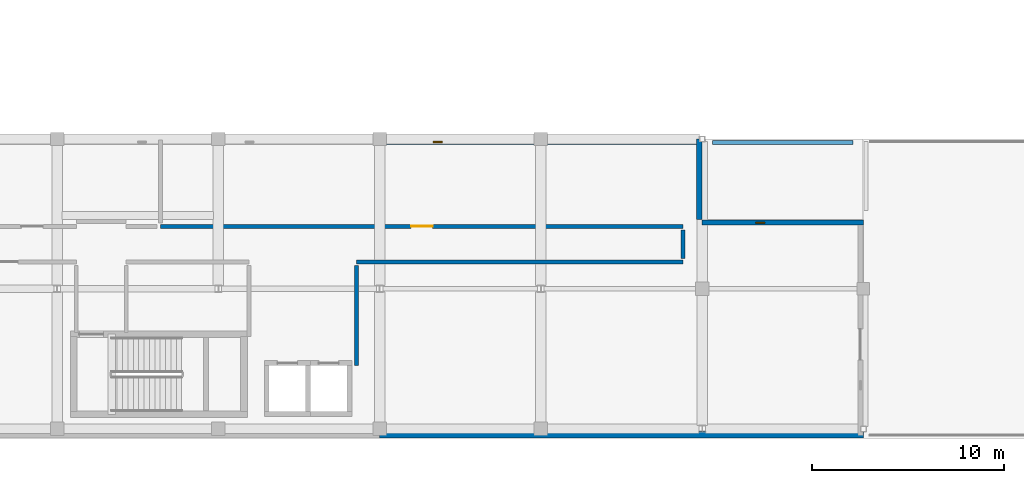
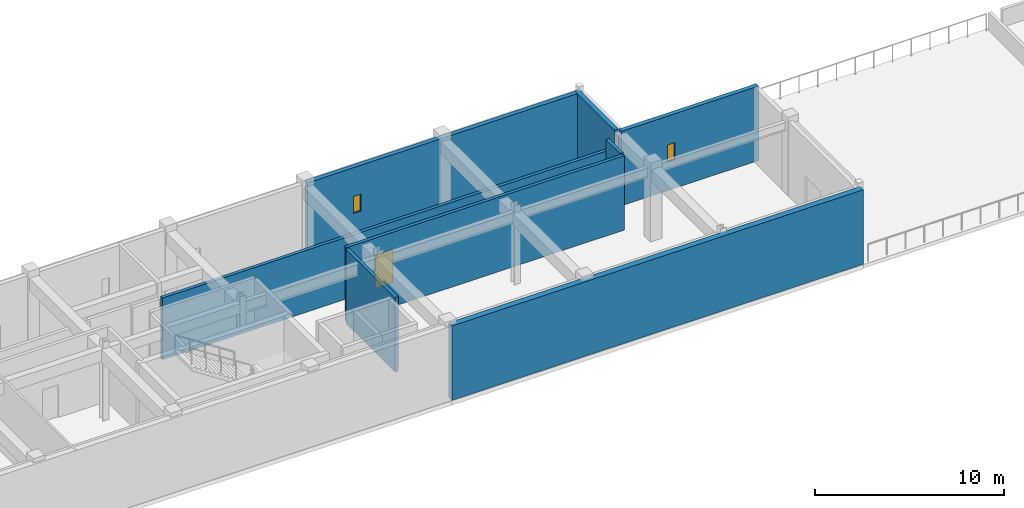
# One storey, part 59 of 78: 9 walls, 2 windows, 1 door, 3 openings.
"""IFC4 building model written with IfcOpenShell, lengths in metres."""

from ifc_helpers import new_model, si_unit, direction, frame, frame_2d, origin, place, context, subcontext, project, spatial, rectangle, extrude, material, layer, layer_set, type_object, element, fill, save


model = new_model("IFC4")

# Units and contexts
model_context = context("Model", 3, precision=1e-05, world=origin(), true_north=direction((0.0, 1.0)))
body_context = subcontext(model_context, "Body", "Model", "MODEL_VIEW")
ifc_project = project(units=[si_unit("LENGTHUNIT", "METRE"), si_unit("AREAUNIT", "SQUARE_METRE"), si_unit("VOLUMEUNIT", "CUBIC_METRE"), si_unit("PLANEANGLEUNIT", "RADIAN"), si_unit("MASSUNIT", "GRAM", prefix="KILO")], contexts=[model_context])

# Site, building, storey
site_placement = place(None, origin())
site = spatial("IfcSite", under=ifc_project, at=site_placement, CompositionType="ELEMENT")
building_placement = place(site_placement, origin())
building = spatial("IfcBuilding", under=site, at=building_placement, Name="Quendrovan Civic Courthouse", CompositionType="ELEMENT")
storey_placement = place(building_placement, frame((0.0, 0.0, 10.199951171875)))
storey = spatial("IfcBuildingStorey", under=building, at=storey_placement, Name="L03", CompositionType="ELEMENT", Elevation=10.199951171875)

# Wall, opening, door
ifc_material_1 = material(Name="Concrete C40/50", Category="concrete")
ifc_layer_1 = layer(ifc_material_1, 0.199951171875, Name="Concrete C40/50")
ifc_layer_set_1 = layer_set([ifc_layer_1], Name="Concrete C40/50")
wall_type_1 = type_object("IfcWallType", Name="WL-CUST-200", PredefinedType="PARTITIONING", material=ifc_layer_set_1)
wall_1_placement = place(storey_placement, frame((57.800048828125, 11.050048828125, 0.0), z_axis=(0.0, 0.0, 1.0), x_axis=(-1.0, 0.0, 0.0)))
wall_1 = element("IfcWall", 1, at=wall_1_placement, inside=storey, type_object=wall_type_1, Name="L03 Custody Suite Medical and Classification Unit 1 Partition 0419", PredefinedType="PARTITIONING", context=body_context, shape_type="SweptSolid", body=[
    extrude(rectangle(XDim=27.2099609375, YDim=0.199951171875, at=frame_2d((13.60498046875, 0.0))), origin(), (0.0, 0.0, 1.0), 4.0),
])
opening_1_placement = place(wall_1_placement, frame((13.044921875, 0.0, 0.0)))
opening_1 = element("IfcOpeningElement", 2, at=opening_1_placement, cuts=wall_1, Name="Opening D-L03-062", PredefinedType="OPENING", context=body_context, shape_type="SweptSolid", body=[
    extrude(rectangle(XDim=1.1201171875, YDim=2.14990234375, at=frame_2d((0.56005859375, 1.074951171875))), frame((0.0, 0.10986328125, 0.0), z_axis=(0.0, -1.0, 0.0), x_axis=(1.0, 0.0, 0.0)), (0.0, 0.0, 1.0), 0.219970703125),
])
ifc_material_2 = material(Name="Heavy-gauge security steel door", Category="steel")
door_type = type_object("IfcDoorType", Name="DR-CUST-1120", OperationType="NOTDEFINED", PredefinedType="DOOR", material=ifc_material_2)
door_placement = place(opening_1_placement, origin())
door = element("IfcDoor", 3, at=door_placement, inside=storey, type_object=door_type, Name="L03 Custody Suite Medical and Classification Unit 1 Door D-L03-062", OperationType="SINGLE_SWING_LEFT", OverallHeight=2.14990234375, OverallWidth=1.1201171875, PredefinedType="DOOR", context=body_context, shape_type="SweptSolid", body=[
    extrude(rectangle(XDim=1.1201171875, YDim=2.14990234375, at=frame_2d((0.56005859375, 1.074951171875))), frame((0.0, 0.02490234375, 0.0), z_axis=(0.0, -1.0, 0.0), x_axis=(1.0, 0.0, 0.0)), (0.0, 0.0, 1.0), 0.050048828125),
])
fill(opening_1, door)

# Walls
wall_2_placement = place(storey_placement, frame((40.800048828125, 9.199951171875, 0.0), z_axis=(0.0, 0.0, 1.0), x_axis=(1.0, 0.0, 0.0)))
element("IfcWall", 4, at=wall_2_placement, inside=storey, type_object=wall_type_1, Name="L03 Custody Suite Medical and Classification Unit 1 Partition 0430", PredefinedType="PARTITIONING", context=body_context, shape_type="SweptSolid", body=[
    extrude(rectangle(XDim=17.0, YDim=0.199951171875, at=frame_2d((8.5, 0.0))), origin(), (0.0, 0.0, 1.0), 4.820068359375),
])
wall_3_placement = place(storey_placement, frame((40.800048828125, 3.800048828125, 0.0), z_axis=(0.0, 0.0, 1.0), x_axis=(0.0, 1.0, 0.0)))
element("IfcWall", 5, at=wall_3_placement, inside=storey, type_object=wall_type_1, Name="L03 Custody Suite Medical and Classification Unit 1 Partition 0475", PredefinedType="PARTITIONING", context=body_context, shape_type="SweptSolid", body=[
    extrude(rectangle(XDim=5.219970703125, YDim=0.199951171875, at=frame_2d((2.60986328125, 0.0))), origin(), (0.0, 0.0, 1.0), 4.820068359375),
])
wall_4_placement = place(storey_placement, frame((57.800048828125, 9.3798828125, 0.0), z_axis=(0.0, 0.0, 1.0), x_axis=(0.0, 1.0, 0.0)))
element("IfcWall", 6, at=wall_4_placement, inside=storey, type_object=wall_type_1, Name="L03 Custody Suite Medical and Classification Unit 1 Partition 0527", PredefinedType="PARTITIONING", context=body_context, shape_type="SweptSolid", body=[
    extrude(rectangle(XDim=1.490234375, YDim=0.199951171875, at=frame_2d((0.7451171875, 0.0))), origin(), (0.0, 0.0, 1.0), 4.820068359375),
])

# Wall, opening, window
ifc_layer_2 = layer(ifc_material_1, 0.27001953125, Name="Concrete C40/50")
ifc_layer_set_2 = layer_set([ifc_layer_2], Name="Concrete C40/50")
wall_type_2 = type_object("IfcWallType", Name="WL-EXT-RC270", PredefinedType="SOLIDWALL", material=ifc_layer_set_2)
wall_5_placement = place(storey_placement, frame((42.0, 15.445068359375, 0.0), z_axis=(0.0, 0.0, 1.0), x_axis=(1.0, 0.0, 0.0)))
wall_5 = element("IfcWall", 7, at=wall_5_placement, inside=storey, type_object=wall_type_2, Name="L03 Exterior Precast Concrete Wall 277", PredefinedType="SOLIDWALL", context=body_context, shape_type="SweptSolid", body=[
    extrude(rectangle(XDim=16.800048828125, YDim=0.27001953125, at=frame_2d((8.39990234375, 0.0))), origin(), (0.0, 0.0, 1.0), 4.820068359375),
])
opening_2_placement = place(wall_5_placement, frame((2.800048828125, 0.0, 1.85009765625)))
opening_2 = element("IfcOpeningElement", 8, at=opening_2_placement, cuts=wall_5, Name="Opening WS01", PredefinedType="OPENING", context=body_context, shape_type="SweptSolid", body=[
    extrude(rectangle(XDim=0.449951171875, YDim=1.10009765625, at=frame_2d((0.22509765625, 0.550048828125))), frame((0.0, 0.14501953125, 0.0), z_axis=(0.0, -1.0, 0.0), x_axis=(1.0, 0.0, 0.0)), (0.0, 0.0, 1.0), 0.2900390625),
])
ifc_material_3 = material(Name="Polycarbonate laminated security glass", Category="glass")
window_type = type_object("IfcWindowType", Name="WIN-SEC-SLOT", PartitioningType="SINGLE_PANEL", PredefinedType="WINDOW", material=ifc_material_3)
window_1_placement = place(opening_2_placement, origin())
window_1 = element("IfcWindow", 9, at=window_1_placement, inside=storey, type_object=window_type, Name="L03 Custody High-Sill Security Window 0012", OverallHeight=1.10009765625, OverallWidth=0.449951171875, PartitioningType="SINGLE_PANEL", PredefinedType="WINDOW", context=body_context, shape_type="SweptSolid", body=[
    extrude(rectangle(XDim=0.449951171875, YDim=1.10009765625, at=frame_2d((0.22509765625, 0.550048828125))), frame((0.0, 0.030029296875, 0.0), z_axis=(0.0, -1.0, 0.0), x_axis=(1.0, 0.0, 0.0)), (0.0, 0.0, 1.0), 0.06005859375),
])
fill(opening_2, window_1)

# Wall
wall_6_placement = place(storey_placement, frame((58.64501953125, 15.60009765625, 0.0), z_axis=(0.0, 0.0, 1.0), x_axis=(0.0, -1.0, 0.0)))
element("IfcWall", 10, at=wall_6_placement, inside=storey, type_object=wall_type_2, Name="L03 Exterior Precast Concrete Wall 278", PredefinedType="SOLIDWALL", context=body_context, shape_type="SweptSolid", body=[
    extrude(rectangle(XDim=4.2001953125, YDim=0.27001953125, at=frame_2d((2.10009765625, 0.0))), origin(), (0.0, 0.0, 1.0), 4.820068359375),
])

# Wall, opening, window
wall_7_placement = place(storey_placement, frame((58.800048828125, 11.2451171875, 0.0), z_axis=(0.0, 0.0, 1.0), x_axis=(1.0, 0.0, 0.0)))
wall_7 = element("IfcWall", 11, at=wall_7_placement, inside=storey, type_object=wall_type_2, Name="L03 Exterior Precast Concrete Wall 279", PredefinedType="SOLIDWALL", context=body_context, shape_type="SweptSolid", body=[
    extrude(rectangle(XDim=8.39990234375, YDim=0.27001953125, at=frame_2d((4.199951171875, 0.0))), origin(), (0.0, 0.0, 1.0), 4.820068359375),
])
opening_3_placement = place(wall_7_placement, frame((2.800048828125, 0.0, 1.85009765625)))
opening_3 = element("IfcOpeningElement", 12, at=opening_3_placement, cuts=wall_7, Name="Opening WS01", PredefinedType="OPENING", context=body_context, shape_type="SweptSolid", body=[
    extrude(rectangle(XDim=0.449951171875, YDim=1.10009765625, at=frame_2d((0.22509765625, 0.550048828125))), frame((0.0, 0.14501953125, 0.0), z_axis=(0.0, -1.0, 0.0), x_axis=(1.0, 0.0, 0.0)), (0.0, 0.0, 1.0), 0.2900390625),
])
window_2_placement = place(opening_3_placement, origin())
window_2 = element("IfcWindow", 13, at=window_2_placement, inside=storey, type_object=window_type, Name="L03 Custody High-Sill Security Window 0013", OverallHeight=1.10009765625, OverallWidth=0.449951171875, PartitioningType="SINGLE_PANEL", PredefinedType="WINDOW", context=body_context, shape_type="SweptSolid", body=[
    extrude(rectangle(XDim=0.449951171875, YDim=1.10009765625, at=frame_2d((0.22509765625, 0.550048828125))), frame((0.0, 0.030029296875, 0.0), z_axis=(0.0, -1.0, 0.0), x_axis=(1.0, 0.0, 0.0)), (0.0, 0.0, 1.0), 0.06005859375),
])
fill(opening_3, window_2)

# Walls
ifc_material_4 = material(Name="Precast concrete C45/55", Category="concrete")
ifc_layer_3 = layer(ifc_material_4, 0.2099609375, Name="Precast concrete C45/55")
ifc_layer_set_3 = layer_set([ifc_layer_3], Name="Precast concrete C45/55")
wall_type_3 = type_object("IfcWallType", Name="WL-PARAPET-210", PredefinedType="PARAPET", material=ifc_layer_set_3)
wall_8_placement = place(storey_placement, frame((59.340087890625, 15.419921875, 0.0), z_axis=(0.0, 0.0, 1.0), x_axis=(1.0, 0.0, 0.0)))
element("IfcWall", 14, at=wall_8_placement, inside=storey, type_object=wall_type_3, Name="L03 Precast Roof Parapet Wall 27", PredefinedType="PARAPET", context=body_context, shape_type="SweptSolid", body=[
    extrude(rectangle(XDim=7.31982421875, YDim=0.2099609375, at=frame_2d((3.659912109375, 0.0))), origin(), (0.0, 0.0, 1.0), 1.1201171875),
])
ifc_layer_4 = layer(ifc_material_1, 0.360107421875, Name="Concrete C40/50")
ifc_layer_set_4 = layer_set([ifc_layer_4], Name="Concrete C40/50")
wall_type_4 = type_object("IfcWallType", Name="WL-PARTY-360", PredefinedType="SOLIDWALL", material=ifc_layer_set_4)
wall_9_placement = place(storey_placement, frame((67.199951171875, 0.2099609375, 0.0), z_axis=(0.0, 0.0, 1.0), x_axis=(-1.0, 0.0, 0.0)))
element("IfcWall", 15, at=wall_9_placement, inside=storey, type_object=wall_type_4, Name="L03 Fire-Rated Boundary Party Wall 281", PredefinedType="SOLIDWALL", context=body_context, shape_type="SweptSolid", body=[
    extrude(rectangle(XDim=25.199951171875, YDim=0.360107421875, at=frame_2d((12.60009765625, 0.0))), origin(), (0.0, 0.0, 1.0), 4.820068359375),
])

save(model, "model.ifc")
